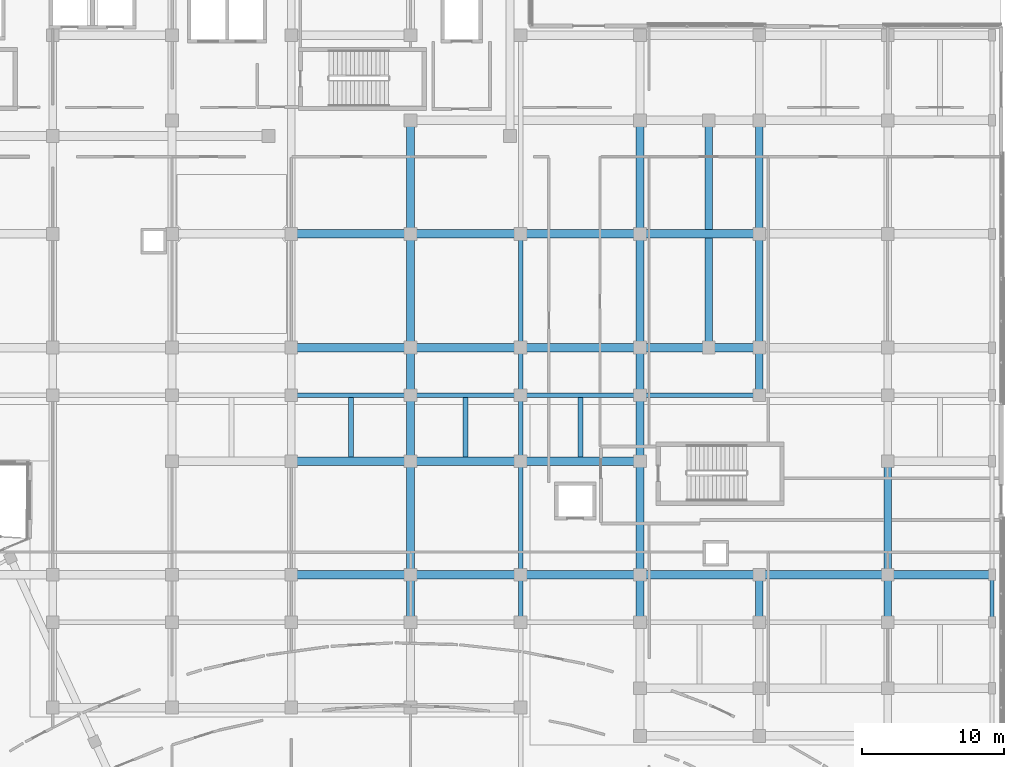
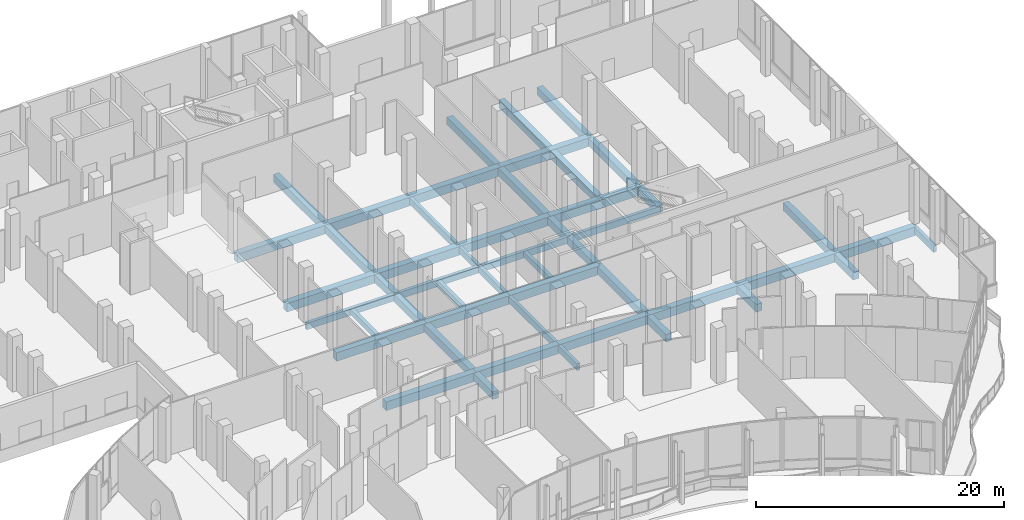
# One storey, part 105 of 158: 50 beams.
"""IFC4 building model written with IfcOpenShell, lengths in metres."""

from ifc_helpers import new_model, si_unit, direction, frame, origin, origin_2d, place, context, subcontext, project, spatial, rectangle, extrude, material, material_profile, profile_set, type_object, element, save


model = new_model("IFC4")

# Units and contexts
model_context = context("Model", 3, precision=1e-05, world=origin(), true_north=direction((0.0, 1.0)))
body_context = subcontext(model_context, "Body", "Model", "MODEL_VIEW")
ifc_project = project(units=[si_unit("LENGTHUNIT", "METRE"), si_unit("AREAUNIT", "SQUARE_METRE"), si_unit("VOLUMEUNIT", "CUBIC_METRE"), si_unit("PLANEANGLEUNIT", "RADIAN"), si_unit("MASSUNIT", "GRAM", prefix="KILO")], contexts=[model_context])

# Site, building, storey
site_placement = place(None, origin())
site = spatial("IfcSite", under=ifc_project, at=site_placement, CompositionType="ELEMENT")
building_placement = place(site_placement, origin())
building = spatial("IfcBuilding", under=site, at=building_placement, Name="Selatvlak General Hospital", CompositionType="ELEMENT")
storey_placement = place(building_placement, origin())
storey = spatial("IfcBuildingStorey", under=building, at=storey_placement, Name="L00", CompositionType="ELEMENT", Elevation=0.0)

# Beams
ifc_material = material(Name="Concrete C40/50", Category="concrete")
ifc_material_profile_1 = material_profile(ifc_material, rectangle(XDim=0.60009765625, YDim=0.85009765625, at=origin_2d()), Name="RC-BM 600x850")
ifc_profile_set_1 = profile_set([ifc_material_profile_1], Name="Concrete C40/50")
beam_type_1 = type_object("IfcBeamType", Name="BM-G01", PredefinedType="BEAM", material=ifc_profile_set_1)
beam_1_placement = place(storey_placement, frame((132.0, 76.0, -0.77490234375), z_axis=(1.0, 0.0, 0.0), x_axis=(0.0, 1.0, 0.0)))
element("IfcBeam", 1, at=beam_1_placement, inside=storey, type_object=beam_type_1, Name="Beam BMR-L00-0037", PredefinedType="BEAM", context=body_context, shape_type="SweptSolid", body=[
    extrude(rectangle(XDim=0.60009765625, YDim=0.85009765625, at=origin_2d()), origin(), (0.0, 0.0, 1.0), 8.39990234375),
])
beam_2_placement = place(storey_placement, frame((140.39990234375, 76.0, -0.77490234375), z_axis=(1.0, 0.0, 0.0), x_axis=(0.0, 1.0, 0.0)))
element("IfcBeam", 2, at=beam_2_placement, inside=storey, type_object=beam_type_1, Name="Beam BMR-L00-0038", PredefinedType="BEAM", context=body_context, shape_type="SweptSolid", body=[
    extrude(rectangle(XDim=0.60009765625, YDim=0.85009765625, at=origin_2d()), origin(), (0.0, 0.0, 1.0), 7.75),
])
beam_3_placement = place(storey_placement, frame((148.14990234375, 76.0, -0.77490234375), z_axis=(1.0, 0.0, 0.0), x_axis=(0.0, 1.0, 0.0)))
element("IfcBeam", 3, at=beam_3_placement, inside=storey, type_object=beam_type_1, Name="Beam BMR-L00-0039", PredefinedType="BEAM", context=body_context, shape_type="SweptSolid", body=[
    extrude(rectangle(XDim=0.60009765625, YDim=0.85009765625, at=origin_2d()), origin(), (0.0, 0.0, 1.0), 8.400146484375),
])
beam_4_placement = place(storey_placement, frame((156.550048828125, 76.0, -0.77490234375), z_axis=(1.0, 0.0, 0.0), x_axis=(0.0, 1.0, 0.0)))
element("IfcBeam", 4, at=beam_4_placement, inside=storey, type_object=beam_type_1, Name="Beam BMR-L00-0040", PredefinedType="BEAM", context=body_context, shape_type="SweptSolid", body=[
    extrude(rectangle(XDim=0.60009765625, YDim=0.85009765625, at=origin_2d()), origin(), (0.0, 0.0, 1.0), 8.39990234375),
])
beam_5_placement = place(storey_placement, frame((164.949951171875, 76.0, -0.77490234375), z_axis=(1.0, 0.0, 0.0), x_axis=(0.0, 1.0, 0.0)))
element("IfcBeam", 5, at=beam_5_placement, inside=storey, type_object=beam_type_1, Name="Beam BMR-L00-0041", PredefinedType="BEAM", context=body_context, shape_type="SweptSolid", body=[
    extrude(rectangle(XDim=0.60009765625, YDim=0.85009765625, at=origin_2d()), origin(), (0.0, 0.0, 1.0), 9.050048828125),
])
beam_6_placement = place(storey_placement, frame((174.0, 76.0, -0.77490234375), z_axis=(1.0, 0.0, 0.0), x_axis=(0.0, 1.0, 0.0)))
element("IfcBeam", 6, at=beam_6_placement, inside=storey, type_object=beam_type_1, Name="Beam BMR-L00-0042", PredefinedType="BEAM", context=body_context, shape_type="SweptSolid", body=[
    extrude(rectangle(XDim=0.60009765625, YDim=0.85009765625, at=origin_2d()), origin(), (0.0, 0.0, 1.0), 7.35009765625),
])
beam_7_placement = place(storey_placement, frame((132.0, 84.0, -0.77490234375), z_axis=(1.0, 0.0, 0.0), x_axis=(0.0, 1.0, 0.0)))
element("IfcBeam", 7, at=beam_7_placement, inside=storey, type_object=beam_type_1, Name="Beam BMR-L00-0051", PredefinedType="BEAM", context=body_context, shape_type="SweptSolid", body=[
    extrude(rectangle(XDim=0.60009765625, YDim=0.85009765625, at=origin_2d()), origin(), (0.0, 0.0, 1.0), 8.39990234375),
])
beam_8_placement = place(storey_placement, frame((140.39990234375, 84.0, -0.77490234375), z_axis=(1.0, 0.0, 0.0), x_axis=(0.0, 1.0, 0.0)))
element("IfcBeam", 8, at=beam_8_placement, inside=storey, type_object=beam_type_1, Name="Beam BMR-L00-0052", PredefinedType="BEAM", context=body_context, shape_type="SweptSolid", body=[
    extrude(rectangle(XDim=0.60009765625, YDim=0.85009765625, at=origin_2d()), origin(), (0.0, 0.0, 1.0), 7.75),
])
beam_9_placement = place(storey_placement, frame((148.14990234375, 84.0, -0.77490234375), z_axis=(1.0, 0.0, 0.0), x_axis=(0.0, 1.0, 0.0)))
element("IfcBeam", 9, at=beam_9_placement, inside=storey, type_object=beam_type_1, Name="Beam BMR-L00-0053", PredefinedType="BEAM", context=body_context, shape_type="SweptSolid", body=[
    extrude(rectangle(XDim=0.60009765625, YDim=0.85009765625, at=origin_2d()), origin(), (0.0, 0.0, 1.0), 8.400146484375),
])
beam_10_placement = place(storey_placement, frame((132.0, 92.0, -0.77490234375), z_axis=(1.0, 0.0, 0.0), x_axis=(0.0, 1.0, 0.0)))
element("IfcBeam", 10, at=beam_10_placement, inside=storey, type_object=beam_type_1, Name="Beam BMR-L00-0086", PredefinedType="BEAM", context=body_context, shape_type="SweptSolid", body=[
    extrude(rectangle(XDim=0.60009765625, YDim=0.85009765625, at=origin_2d()), origin(), (0.0, 0.0, 1.0), 8.39990234375),
])
beam_11_placement = place(storey_placement, frame((140.39990234375, 92.0, -0.77490234375), z_axis=(1.0, 0.0, 0.0), x_axis=(0.0, 1.0, 0.0)))
element("IfcBeam", 11, at=beam_11_placement, inside=storey, type_object=beam_type_1, Name="Beam BMR-L00-0087", PredefinedType="BEAM", context=body_context, shape_type="SweptSolid", body=[
    extrude(rectangle(XDim=0.60009765625, YDim=0.85009765625, at=origin_2d()), origin(), (0.0, 0.0, 1.0), 7.75),
])
beam_12_placement = place(storey_placement, frame((148.14990234375, 92.0, -0.77490234375), z_axis=(1.0, 0.0, 0.0), x_axis=(0.0, 1.0, 0.0)))
element("IfcBeam", 12, at=beam_12_placement, inside=storey, type_object=beam_type_1, Name="Beam BMR-L00-0088", PredefinedType="BEAM", context=body_context, shape_type="SweptSolid", body=[
    extrude(rectangle(XDim=0.60009765625, YDim=0.85009765625, at=origin_2d()), origin(), (0.0, 0.0, 1.0), 8.400146484375),
])
beam_13_placement = place(storey_placement, frame((156.550048828125, 92.0, -0.77490234375), z_axis=(1.0, 0.0, 0.0), x_axis=(0.0, 1.0, 0.0)))
element("IfcBeam", 13, at=beam_13_placement, inside=storey, type_object=beam_type_1, Name="Beam BMR-L00-0089", PredefinedType="BEAM", context=body_context, shape_type="SweptSolid", body=[
    extrude(rectangle(XDim=0.60009765625, YDim=0.85009765625, at=origin_2d()), origin(), (0.0, 0.0, 1.0), 4.849853515625),
])
beam_14_placement = place(storey_placement, frame((161.39990234375, 92.0, -0.77490234375), z_axis=(1.0, 0.0, 0.0), x_axis=(0.0, 1.0, 0.0)))
element("IfcBeam", 14, at=beam_14_placement, inside=storey, type_object=beam_type_1, Name="Beam BMR-L00-0090", PredefinedType="BEAM", context=body_context, shape_type="SweptSolid", body=[
    extrude(rectangle(XDim=0.60009765625, YDim=0.85009765625, at=origin_2d()), origin(), (0.0, 0.0, 1.0), 3.550048828125),
])
beam_15_placement = place(storey_placement, frame((132.0, 100.0, -0.77490234375), z_axis=(1.0, 0.0, 0.0), x_axis=(0.0, 1.0, 0.0)))
element("IfcBeam", 15, at=beam_15_placement, inside=storey, type_object=beam_type_1, Name="Beam BMR-L00-0107", PredefinedType="BEAM", context=body_context, shape_type="SweptSolid", body=[
    extrude(rectangle(XDim=0.60009765625, YDim=0.85009765625, at=origin_2d()), origin(), (0.0, 0.0, 1.0), 8.39990234375),
])
beam_16_placement = place(storey_placement, frame((140.39990234375, 100.0, -0.77490234375), z_axis=(1.0, 0.0, 0.0), x_axis=(0.0, 1.0, 0.0)))
element("IfcBeam", 16, at=beam_16_placement, inside=storey, type_object=beam_type_1, Name="Beam BMR-L00-0108", PredefinedType="BEAM", context=body_context, shape_type="SweptSolid", body=[
    extrude(rectangle(XDim=0.60009765625, YDim=0.85009765625, at=origin_2d()), origin(), (0.0, 0.0, 1.0), 7.75),
])
beam_17_placement = place(storey_placement, frame((148.14990234375, 100.0, -0.77490234375), z_axis=(1.0, 0.0, 0.0), x_axis=(0.0, 1.0, 0.0)))
element("IfcBeam", 17, at=beam_17_placement, inside=storey, type_object=beam_type_1, Name="Beam BMR-L00-0109", PredefinedType="BEAM", context=body_context, shape_type="SweptSolid", body=[
    extrude(rectangle(XDim=0.60009765625, YDim=0.85009765625, at=origin_2d()), origin(), (0.0, 0.0, 1.0), 8.400146484375),
])
beam_18_placement = place(storey_placement, frame((156.550048828125, 100.0, -0.77490234375), z_axis=(1.0, 0.0, 0.0), x_axis=(0.0, 1.0, 0.0)))
element("IfcBeam", 18, at=beam_18_placement, inside=storey, type_object=beam_type_1, Name="Beam BMR-L00-0110", PredefinedType="BEAM", context=body_context, shape_type="SweptSolid", body=[
    extrude(rectangle(XDim=0.60009765625, YDim=0.85009765625, at=origin_2d()), origin(), (0.0, 0.0, 1.0), 8.39990234375),
])
ifc_material_profile_2 = material_profile(ifc_material, rectangle(XDim=0.550048828125, YDim=0.75, at=origin_2d()), Name="RC-BM 550x750")
ifc_profile_set_2 = profile_set([ifc_material_profile_2], Name="Concrete C40/50")
beam_type_2 = type_object("IfcBeamType", Name="BM-G02", PredefinedType="BEAM", material=ifc_profile_set_2)
beam_19_placement = place(storey_placement, frame((140.39990234375, 72.64990234375, -0.72509765625), z_axis=(0.0, 1.0, 0.0), x_axis=(-1.0, 0.0, 0.0)))
element("IfcBeam", 19, at=beam_19_placement, inside=storey, type_object=beam_type_2, Name="Beam BMR-L00-0259", PredefinedType="BEAM", context=body_context, shape_type="SweptSolid", body=[
    extrude(rectangle(XDim=0.550048828125, YDim=0.75, at=origin_2d()), origin(), (0.0, 0.0, 1.0), 3.35009765625),
])
beam_20_placement = place(storey_placement, frame((140.39990234375, 76.0, -0.72509765625), z_axis=(0.0, 1.0, 0.0), x_axis=(-1.0, 0.0, 0.0)))
element("IfcBeam", 20, at=beam_20_placement, inside=storey, type_object=beam_type_2, Name="Beam BMR-L00-0260", PredefinedType="BEAM", context=body_context, shape_type="SweptSolid", body=[
    extrude(rectangle(XDim=0.550048828125, YDim=0.75, at=origin_2d()), origin(), (0.0, 0.0, 1.0), 8.0),
])
beam_21_placement = place(storey_placement, frame((140.39990234375, 84.0, -0.72509765625), z_axis=(0.0, 1.0, 0.0), x_axis=(-1.0, 0.0, 0.0)))
element("IfcBeam", 21, at=beam_21_placement, inside=storey, type_object=beam_type_2, Name="Beam BMR-L00-0261", PredefinedType="BEAM", context=body_context, shape_type="SweptSolid", body=[
    extrude(rectangle(XDim=0.550048828125, YDim=0.75, at=origin_2d()), origin(), (0.0, 0.0, 1.0), 4.64990234375),
])
beam_22_placement = place(storey_placement, frame((140.39990234375, 88.64990234375, -0.72509765625), z_axis=(0.0, 1.0, 0.0), x_axis=(-1.0, 0.0, 0.0)))
element("IfcBeam", 22, at=beam_22_placement, inside=storey, type_object=beam_type_2, Name="Beam BMR-L00-0262", PredefinedType="BEAM", context=body_context, shape_type="SweptSolid", body=[
    extrude(rectangle(XDim=0.550048828125, YDim=0.75, at=origin_2d()), origin(), (0.0, 0.0, 1.0), 3.35009765625),
])
for number, where, z_axis, x_axis, name in (
    (23, (140.39990234375, 92.0, -0.72509765625), (0.0, 1.0, 0.0), (-1.0, 0.0, 0.0), "Beam BMR-L00-0263"),
    (24, (140.39990234375, 100.0, -0.72509765625), (0.0, 1.0, 0.0), (-1.0, 0.0, 0.0), "Beam BMR-L00-0264"),
):
    element("IfcBeam", number, at=place(storey_placement, frame(where, z_axis=z_axis, x_axis=x_axis)), inside=storey, type_object=beam_type_2, Name=name, PredefinedType="BEAM", context=body_context, shape_type="SweptSolid", body=[
        extrude(rectangle(XDim=0.550048828125, YDim=0.75, at=origin_2d()), origin(), (0.0, 0.0, 1.0), 8.0),
    ])
beam_23_placement = place(storey_placement, frame((156.550048828125, 72.64990234375, -0.72509765625), z_axis=(0.0, 1.0, 0.0), x_axis=(-1.0, 0.0, 0.0)))
element("IfcBeam", 25, at=beam_23_placement, inside=storey, type_object=beam_type_2, Name="Beam BMR-L00-0277", PredefinedType="BEAM", context=body_context, shape_type="SweptSolid", body=[
    extrude(rectangle(XDim=0.550048828125, YDim=0.75, at=origin_2d()), origin(), (0.0, 0.0, 1.0), 3.35009765625),
])
beam_24_placement = place(storey_placement, frame((156.550048828125, 76.0, -0.72509765625), z_axis=(0.0, 1.0, 0.0), x_axis=(-1.0, 0.0, 0.0)))
element("IfcBeam", 26, at=beam_24_placement, inside=storey, type_object=beam_type_2, Name="Beam BMR-L00-0278", PredefinedType="BEAM", context=body_context, shape_type="SweptSolid", body=[
    extrude(rectangle(XDim=0.550048828125, YDim=0.75, at=origin_2d()), origin(), (0.0, 0.0, 1.0), 8.0),
])
beam_25_placement = place(storey_placement, frame((156.550048828125, 84.0, -0.72509765625), z_axis=(0.0, 1.0, 0.0), x_axis=(-1.0, 0.0, 0.0)))
element("IfcBeam", 27, at=beam_25_placement, inside=storey, type_object=beam_type_2, Name="Beam BMR-L00-0279", PredefinedType="BEAM", context=body_context, shape_type="SweptSolid", body=[
    extrude(rectangle(XDim=0.550048828125, YDim=0.75, at=origin_2d()), origin(), (0.0, 0.0, 1.0), 4.64990234375),
])
beam_26_placement = place(storey_placement, frame((156.550048828125, 88.64990234375, -0.72509765625), z_axis=(0.0, 1.0, 0.0), x_axis=(-1.0, 0.0, 0.0)))
element("IfcBeam", 28, at=beam_26_placement, inside=storey, type_object=beam_type_2, Name="Beam BMR-L00-0280", PredefinedType="BEAM", context=body_context, shape_type="SweptSolid", body=[
    extrude(rectangle(XDim=0.550048828125, YDim=0.75, at=origin_2d()), origin(), (0.0, 0.0, 1.0), 3.35009765625),
])
for number, where, z_axis, x_axis, name in (
    (29, (156.550048828125, 92.0, -0.72509765625), (0.0, 1.0, 0.0), (-1.0, 0.0, 0.0), "Beam BMR-L00-0281"),
    (30, (156.550048828125, 100.0, -0.72509765625), (0.0, 1.0, 0.0), (-1.0, 0.0, 0.0), "Beam BMR-L00-0282"),
):
    element("IfcBeam", number, at=place(storey_placement, frame(where, z_axis=z_axis, x_axis=x_axis)), inside=storey, type_object=beam_type_2, Name=name, PredefinedType="BEAM", context=body_context, shape_type="SweptSolid", body=[
        extrude(rectangle(XDim=0.550048828125, YDim=0.75, at=origin_2d()), origin(), (0.0, 0.0, 1.0), 8.0),
    ])
beam_27_placement = place(storey_placement, frame((161.39990234375, 92.0, -0.72509765625), z_axis=(0.0, 1.0, 0.0), x_axis=(-1.0, 0.0, 0.0)))
element("IfcBeam", 31, at=beam_27_placement, inside=storey, type_object=beam_type_2, Name="Beam BMR-L00-0284", PredefinedType="BEAM", context=body_context, shape_type="SweptSolid", body=[
    extrude(rectangle(XDim=0.550048828125, YDim=0.75, at=origin_2d()), origin(), (0.0, 0.0, 1.0), 16.0),
])
for number, where, z_axis, x_axis, name in (
    (32, (164.949951171875, 72.64990234375, -0.72509765625), (0.0, 1.0, 0.0), (-1.0, 0.0, 0.0), "Beam BMR-L00-0287"),
    (33, (164.949951171875, 88.64990234375, -0.72509765625), (0.0, 1.0, 0.0), (-1.0, 0.0, 0.0), "Beam BMR-L00-0288"),
):
    element("IfcBeam", number, at=place(storey_placement, frame(where, z_axis=z_axis, x_axis=x_axis)), inside=storey, type_object=beam_type_2, Name=name, PredefinedType="BEAM", context=body_context, shape_type="SweptSolid", body=[
        extrude(rectangle(XDim=0.550048828125, YDim=0.75, at=origin_2d()), origin(), (0.0, 0.0, 1.0), 3.35009765625),
    ])
for number, where, z_axis, x_axis, name in (
    (34, (164.949951171875, 92.0, -0.72509765625), (0.0, 1.0, 0.0), (-1.0, 0.0, 0.0), "Beam BMR-L00-0289"),
    (35, (164.949951171875, 100.0, -0.72509765625), (0.0, 1.0, 0.0), (-1.0, 0.0, 0.0), "Beam BMR-L00-0290"),
):
    element("IfcBeam", number, at=place(storey_placement, frame(where, z_axis=z_axis, x_axis=x_axis)), inside=storey, type_object=beam_type_2, Name=name, PredefinedType="BEAM", context=body_context, shape_type="SweptSolid", body=[
        extrude(rectangle(XDim=0.550048828125, YDim=0.75, at=origin_2d()), origin(), (0.0, 0.0, 1.0), 8.0),
    ])
beam_28_placement = place(storey_placement, frame((174.0, 72.64990234375, -0.72509765625), z_axis=(0.0, 1.0, 0.0), x_axis=(-1.0, 0.0, 0.0)))
element("IfcBeam", 36, at=beam_28_placement, inside=storey, type_object=beam_type_2, Name="Beam BMR-L00-0295", PredefinedType="BEAM", context=body_context, shape_type="SweptSolid", body=[
    extrude(rectangle(XDim=0.550048828125, YDim=0.75, at=origin_2d()), origin(), (0.0, 0.0, 1.0), 3.35009765625),
])
beam_29_placement = place(storey_placement, frame((174.0, 76.0, -0.72509765625), z_axis=(0.0, 1.0, 0.0), x_axis=(-1.0, 0.0, 0.0)))
element("IfcBeam", 37, at=beam_29_placement, inside=storey, type_object=beam_type_2, Name="Beam BMR-L00-0296", PredefinedType="BEAM", context=body_context, shape_type="SweptSolid", body=[
    extrude(rectangle(XDim=0.550048828125, YDim=0.75, at=origin_2d()), origin(), (0.0, 0.0, 1.0), 8.0),
])
ifc_material_profile_3 = material_profile(ifc_material, rectangle(XDim=0.35009765625, YDim=0.550048828125, at=origin_2d()), Name="RC-BM 350x550")
ifc_profile_set_3 = profile_set([ifc_material_profile_3], Name="Concrete C40/50")
beam_type_3 = type_object("IfcBeamType", Name="BM-J01", PredefinedType="JOIST", material=ifc_profile_set_3)
for number, where, z_axis, x_axis, name in (
    (38, (136.199951171875, 84.300048828125, -0.625), (0.0, 1.0, 0.0), (-1.0, 0.0, 0.0), "Beam BMR-L00-0315"),
    (39, (144.27490234375, 84.300048828125, -0.625), (0.0, 1.0, 0.0), (-1.0, 0.0, 0.0), "Beam BMR-L00-0316"),
    (40, (152.35009765625, 84.300048828125, -0.625), (0.0, 1.0, 0.0), (-1.0, 0.0, 0.0), "Beam BMR-L00-0317"),
):
    element("IfcBeam", number, at=place(storey_placement, frame(where, z_axis=z_axis, x_axis=x_axis)), inside=storey, type_object=beam_type_3, Name=name, PredefinedType="JOIST", context=body_context, shape_type="SweptSolid", body=[
        extrude(rectangle(XDim=0.35009765625, YDim=0.550048828125, at=origin_2d()), origin(), (0.0, 0.0, 1.0), 4.199951171875),
    ])
ifc_material_profile_4 = material_profile(ifc_material, rectangle(XDim=0.300048828125, YDim=0.64990234375, at=origin_2d()), Name="RC-SP 300x650")
ifc_profile_set_4 = profile_set([ifc_material_profile_4], Name="Concrete C40/50")
beam_type_4 = type_object("IfcBeamType", Name="BM-SP1", PredefinedType="SPANDREL", material=ifc_profile_set_4)
beam_30_placement = place(storey_placement, frame((132.0, 88.64990234375, -0.675048828125), z_axis=(1.0, 0.0, 0.0), x_axis=(0.0, 1.0, 0.0)))
element("IfcBeam", 41, at=beam_30_placement, inside=storey, type_object=beam_type_4, Name="Beam BMR-L00-0066", PredefinedType="SPANDREL", context=body_context, shape_type="SweptSolid", body=[
    extrude(rectangle(XDim=0.300048828125, YDim=0.64990234375, at=origin_2d()), origin(), (0.0, 0.0, 1.0), 8.39990234375),
])
beam_31_placement = place(storey_placement, frame((140.39990234375, 88.64990234375, -0.675048828125), z_axis=(1.0, 0.0, 0.0), x_axis=(0.0, 1.0, 0.0)))
element("IfcBeam", 42, at=beam_31_placement, inside=storey, type_object=beam_type_4, Name="Beam BMR-L00-0067", PredefinedType="SPANDREL", context=body_context, shape_type="SweptSolid", body=[
    extrude(rectangle(XDim=0.300048828125, YDim=0.64990234375, at=origin_2d()), origin(), (0.0, 0.0, 1.0), 7.75),
])
beam_32_placement = place(storey_placement, frame((148.14990234375, 88.64990234375, -0.675048828125), z_axis=(1.0, 0.0, 0.0), x_axis=(0.0, 1.0, 0.0)))
element("IfcBeam", 43, at=beam_32_placement, inside=storey, type_object=beam_type_4, Name="Beam BMR-L00-0068", PredefinedType="SPANDREL", context=body_context, shape_type="SweptSolid", body=[
    extrude(rectangle(XDim=0.300048828125, YDim=0.64990234375, at=origin_2d()), origin(), (0.0, 0.0, 1.0), 8.400146484375),
])
beam_33_placement = place(storey_placement, frame((156.550048828125, 88.64990234375, -0.675048828125), z_axis=(1.0, 0.0, 0.0), x_axis=(0.0, 1.0, 0.0)))
element("IfcBeam", 44, at=beam_33_placement, inside=storey, type_object=beam_type_4, Name="Beam BMR-L00-0069", PredefinedType="SPANDREL", context=body_context, shape_type="SweptSolid", body=[
    extrude(rectangle(XDim=0.300048828125, YDim=0.64990234375, at=origin_2d()), origin(), (0.0, 0.0, 1.0), 8.39990234375),
])
beam_34_placement = place(storey_placement, frame((148.14990234375, 72.64990234375, -0.675048828125), z_axis=(0.0, 1.0, 0.0), x_axis=(-1.0, 0.0, 0.0)))
element("IfcBeam", 45, at=beam_34_placement, inside=storey, type_object=beam_type_4, Name="Beam BMR-L00-0269", PredefinedType="SPANDREL", context=body_context, shape_type="SweptSolid", body=[
    extrude(rectangle(XDim=0.300048828125, YDim=0.64990234375, at=origin_2d()), origin(), (0.0, 0.0, 1.0), 3.35009765625),
])
beam_35_placement = place(storey_placement, frame((148.14990234375, 76.0, -0.675048828125), z_axis=(0.0, 1.0, 0.0), x_axis=(-1.0, 0.0, 0.0)))
element("IfcBeam", 46, at=beam_35_placement, inside=storey, type_object=beam_type_4, Name="Beam BMR-L00-0270", PredefinedType="SPANDREL", context=body_context, shape_type="SweptSolid", body=[
    extrude(rectangle(XDim=0.300048828125, YDim=0.64990234375, at=origin_2d()), origin(), (0.0, 0.0, 1.0), 8.0),
])
beam_36_placement = place(storey_placement, frame((148.14990234375, 84.0, -0.675048828125), z_axis=(0.0, 1.0, 0.0), x_axis=(-1.0, 0.0, 0.0)))
element("IfcBeam", 47, at=beam_36_placement, inside=storey, type_object=beam_type_4, Name="Beam BMR-L00-0271", PredefinedType="SPANDREL", context=body_context, shape_type="SweptSolid", body=[
    extrude(rectangle(XDim=0.300048828125, YDim=0.64990234375, at=origin_2d()), origin(), (0.0, 0.0, 1.0), 4.64990234375),
])
beam_37_placement = place(storey_placement, frame((148.14990234375, 88.64990234375, -0.675048828125), z_axis=(0.0, 1.0, 0.0), x_axis=(-1.0, 0.0, 0.0)))
element("IfcBeam", 48, at=beam_37_placement, inside=storey, type_object=beam_type_4, Name="Beam BMR-L00-0272", PredefinedType="SPANDREL", context=body_context, shape_type="SweptSolid", body=[
    extrude(rectangle(XDim=0.300048828125, YDim=0.64990234375, at=origin_2d()), origin(), (0.0, 0.0, 1.0), 3.35009765625),
])
beam_38_placement = place(storey_placement, frame((148.14990234375, 92.0, -0.675048828125), z_axis=(0.0, 1.0, 0.0), x_axis=(-1.0, 0.0, 0.0)))
element("IfcBeam", 49, at=beam_38_placement, inside=storey, type_object=beam_type_4, Name="Beam BMR-L00-0273", PredefinedType="SPANDREL", context=body_context, shape_type="SweptSolid", body=[
    extrude(rectangle(XDim=0.300048828125, YDim=0.64990234375, at=origin_2d()), origin(), (0.0, 0.0, 1.0), 8.0),
])
beam_39_placement = place(storey_placement, frame((181.35009765625, 72.64990234375, -0.675048828125), z_axis=(0.0, 1.0, 0.0), x_axis=(-1.0, 0.0, 0.0)))
element("IfcBeam", 50, at=beam_39_placement, inside=storey, type_object=beam_type_4, Name="Beam BMR-L00-0304", PredefinedType="SPANDREL", context=body_context, shape_type="SweptSolid", body=[
    extrude(rectangle(XDim=0.300048828125, YDim=0.64990234375, at=origin_2d()), origin(), (0.0, 0.0, 1.0), 3.35009765625),
])

save(model, "model.ifc")
